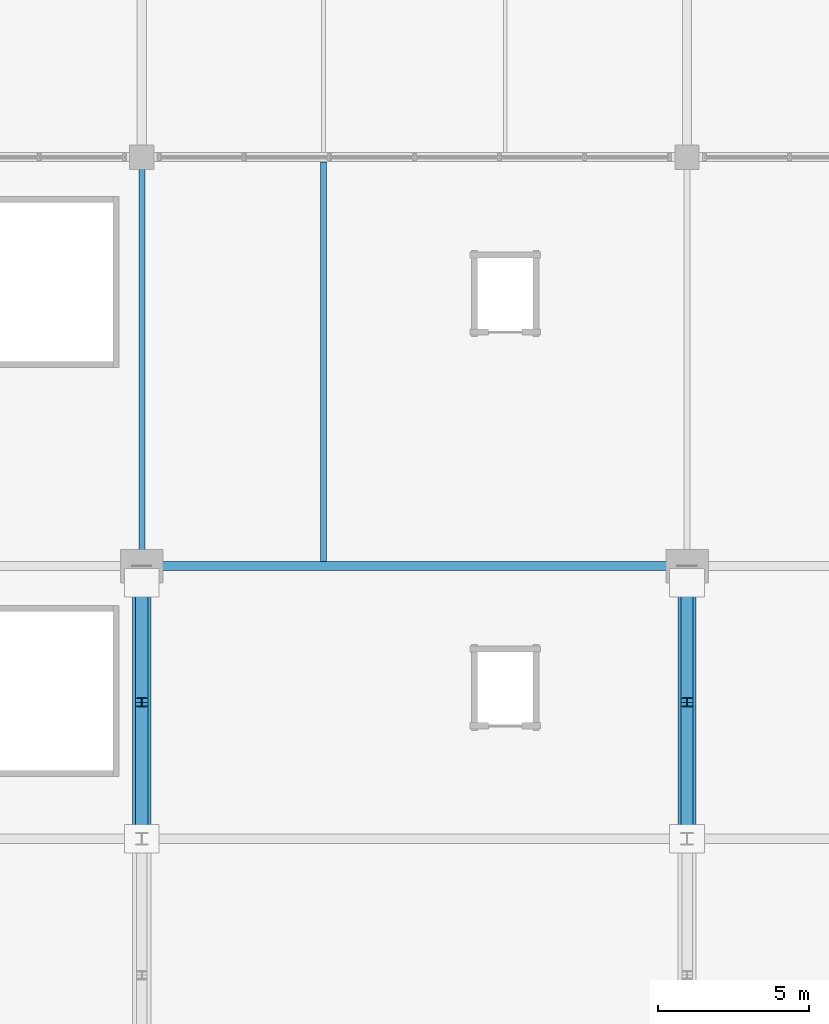
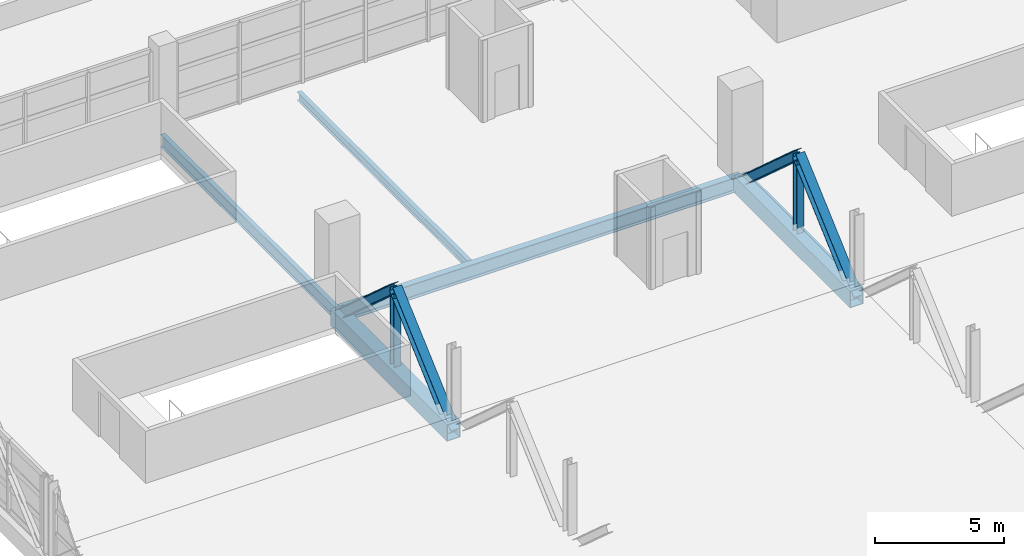
# One storey, part 35 of 136: 6 members, 5 beams.
"""IFC4 building model written with IfcOpenShell, lengths in metres."""

from ifc_helpers import new_model, si_unit, direction, frame, origin, origin_2d, place, context, subcontext, project, spatial, hollow_rectangle, i_section, extrude, material, material_profile, profile_set, type_object, element, save


model = new_model("IFC4")

# Units and contexts
model_context = context("Model", 3, precision=1e-05, world=origin(), true_north=direction((0.0, 1.0)))
body_context = subcontext(model_context, "Body", "Model", "MODEL_VIEW")
ifc_project = project(units=[si_unit("LENGTHUNIT", "METRE"), si_unit("AREAUNIT", "SQUARE_METRE"), si_unit("VOLUMEUNIT", "CUBIC_METRE"), si_unit("PLANEANGLEUNIT", "RADIAN"), si_unit("MASSUNIT", "GRAM", prefix="KILO")], contexts=[model_context])

# Site, building, storey
site_placement = place(None, origin())
site = spatial("IfcSite", under=ifc_project, at=site_placement, CompositionType="ELEMENT")
building_placement = place(site_placement, origin())
building = spatial("IfcBuilding", under=site, at=building_placement, Name="Chuanluo Vaults Station", CompositionType="ELEMENT")
storey_placement = place(building_placement, frame((0.0, 0.0, 6.60009765625)))
storey = spatial("IfcBuildingStorey", under=building, at=storey_placement, Name="L01", CompositionType="ELEMENT", Elevation=6.60009765625)

# Beams
ifc_material_1 = material(Name="Steel Q355C", Category="steel")
ifc_material_profile_1 = material_profile(ifc_material_1, i_section(OverallWidth=0.199951171875, OverallDepth=0.60009765625, WebThickness=0.010986328125, FlangeThickness=0.01708984375, FilletRadius=0.01806640625, at=origin_2d()))
ifc_profile_set_1 = profile_set([ifc_material_profile_1], Name="Steel Q355C")
beam_type_1 = type_object("IfcBeamType", Name="BM-GRD-600", PredefinedType="USERDEFINED", material=ifc_profile_set_1)
beam_1_placement = place(storey_placement, frame((36.0, 103.5, -0.580078125), z_axis=(0.0, 1.0, 0.0), x_axis=(-1.0, 0.0, 0.0)))
element("IfcBeam", 1, at=beam_1_placement, inside=storey, type_object=beam_type_1, Name="Floor girder BM:GY:L01:0424", ObjectType="GIRDER", PredefinedType="USERDEFINED", context=body_context, shape_type="SweptSolid", body=[
    extrude(i_section(OverallWidth=0.199951171875, OverallDepth=0.60009765625, WebThickness=0.010986328125, FlangeThickness=0.01708984375, FilletRadius=0.01806640625, at=origin_2d()), origin(), (0.0, 0.0, 1.0), 13.5),
])
ifc_material_2 = material(Name="Steel Q355C", Category="steel")
ifc_material_profile_2 = material_profile(ifc_material_2, i_section(OverallWidth=0.300048828125, OverallDepth=0.699951171875, WebThickness=0.012939453125, FlangeThickness=0.02392578125, FilletRadius=0.02197265625, at=origin_2d()))
ifc_profile_set_2 = profile_set([ifc_material_profile_2], Name="Steel Q355C")
beam_type_2 = type_object("IfcBeamType", Name="BM-GRD-700", PredefinedType="USERDEFINED", material=ifc_profile_set_2)
beam_2_placement = place(storey_placement, frame((36.0, 103.5, -0.630126953125), z_axis=(1.0, 0.0, 0.0), x_axis=(0.0, 1.0, 0.0)))
element("IfcBeam", 2, at=beam_2_placement, inside=storey, type_object=beam_type_2, Name="Floor girder BM:GX:L01:0364", ObjectType="GIRDER", PredefinedType="USERDEFINED", context=body_context, shape_type="SweptSolid", body=[
    extrude(i_section(OverallWidth=0.300048828125, OverallDepth=0.699951171875, WebThickness=0.012939453125, FlangeThickness=0.02392578125, FilletRadius=0.02197265625, at=origin_2d()), origin(), (0.0, 0.0, 1.0), 18.0),
])
ifc_material_3 = material(Name="Steel Q355C", Category="steel")
ifc_material_profile_3 = material_profile(ifc_material_3, i_section(OverallWidth=0.199951171875, OverallDepth=0.39990234375, WebThickness=0.008056640625, FlangeThickness=0.012939453125, FilletRadius=0.01611328125, at=origin_2d()))
ifc_profile_set_3 = profile_set([ifc_material_profile_3], Name="Steel Q355C")
beam_type_3 = type_object("IfcBeamType", Name="BM-SEC-400", PredefinedType="BEAM", material=ifc_profile_set_3)
beam_3_placement = place(storey_placement, frame((42.0, 103.655029296875, -0.47998046875), z_axis=(0.0, 1.0, 0.0), x_axis=(-1.0, 0.0, 0.0)))
element("IfcBeam", 3, at=beam_3_placement, inside=storey, type_object=beam_type_3, Name="Composite secondary joist 0119", PredefinedType="BEAM", context=body_context, shape_type="SweptSolid", body=[
    extrude(i_section(OverallWidth=0.199951171875, OverallDepth=0.39990234375, WebThickness=0.008056640625, FlangeThickness=0.012939453125, FilletRadius=0.01611328125, at=origin_2d()), origin(), (0.0, 0.0, 1.0), 13.18994140625),
])
ifc_material_4 = material(Name="Steel Q390C", Category="steel")
ifc_material_profile_4 = material_profile(ifc_material_4, hollow_rectangle(XDim=0.60009765625, YDim=0.800048828125, WallThickness=0.031982421875, at=origin_2d()))
ifc_profile_set_4 = profile_set([ifc_material_profile_4], Name="Steel Q390C")
beam_type_4 = type_object("IfcBeamType", Name="BM-TT-BOT", PredefinedType="USERDEFINED", material=ifc_profile_set_4)
for number, where, z_axis, x_axis, name in (
    (4, (36.0, 94.5, -0.68017578125), (0.0, 1.0, 0.0), (-1.0, 0.0, 0.0), "Transfer truss TT-3 bottom chord 4"),
    (5, (54.0, 94.5, -0.68017578125), (0.0, 1.0, 0.0), (-1.0, 0.0, 0.0), "Transfer truss TT-4 bottom chord 4"),
):
    element("IfcBeam", number, at=place(storey_placement, frame(where, z_axis=z_axis, x_axis=x_axis)), inside=storey, type_object=beam_type_4, Name=name, ObjectType="GIRDER", PredefinedType="USERDEFINED", context=body_context, shape_type="SweptSolid", body=[
        extrude(hollow_rectangle(XDim=0.60009765625, YDim=0.800048828125, WallThickness=0.031982421875, at=origin_2d()), origin(), (0.0, 0.0, 1.0), 9.0),
    ])

# Members
ifc_material_5 = material(Name="Steel Q390C", Category="steel")
ifc_material_profile_5 = material_profile(ifc_material_5, i_section(OverallWidth=0.39990234375, OverallDepth=0.407958984375, WebThickness=0.02099609375, FlangeThickness=0.02099609375, FilletRadius=0.02197265625, at=origin_2d()))
ifc_profile_set_5 = profile_set([ifc_material_profile_5], Name="Steel Q390C")
member_type_1 = type_object("IfcMemberType", Name="MEM-DIAG-408", PredefinedType="BRACE", material=ifc_profile_set_5)
for number, where, z_axis, x_axis, name in (
    (6, (36.0, 94.5, -0.68017578125), (0.0, 0.744935757439, 0.667136205949), (-1.0, 0.0, 0.0), "Transfer truss TT-3 diagonal 4A"),
    (7, (36.0, 99.0, 3.349853515625), (0.0, 0.744935757439, -0.667136205949), (-1.0, 0.0, 0.0), "Transfer truss TT-3 diagonal 4B"),
    (8, (54.0, 94.5, -0.68017578125), (0.0, 0.744935757439, 0.667136205949), (-1.0, 0.0, 0.0), "Transfer truss TT-4 diagonal 4A"),
    (9, (54.0, 99.0, 3.349853515625), (0.0, 0.744935757439, -0.667136205949), (-1.0, 0.0, 0.0), "Transfer truss TT-4 diagonal 4B"),
):
    element("IfcMember", number, at=place(storey_placement, frame(where, z_axis=z_axis, x_axis=x_axis)), inside=storey, type_object=member_type_1, Name=name, PredefinedType="BRACE", context=body_context, shape_type="SweptSolid", body=[
        extrude(i_section(OverallWidth=0.39990234375, OverallDepth=0.407958984375, WebThickness=0.02099609375, FlangeThickness=0.02099609375, FilletRadius=0.02197265625, at=origin_2d()), origin(), (0.0, 0.0, 1.0), 6.040771484375),
    ])
ifc_material_6 = material(Name="Steel Q390C", Category="steel")
ifc_material_profile_6 = material_profile(ifc_material_6, i_section(OverallWidth=0.300048828125, OverallDepth=0.300048828125, WebThickness=0.010009765625, FlangeThickness=0.014892578125, FilletRadius=0.01806640625, at=origin_2d()))
ifc_profile_set_6 = profile_set([ifc_material_profile_6], Name="Steel Q390C")
member_type_2 = type_object("IfcMemberType", Name="MEM-VERT-300", PredefinedType="POST", material=ifc_profile_set_6)
for number, where, z_axis, x_axis, name in (
    (10, (36.0, 99.0, -0.68017578125), (0.0, 0.0, 1.0), (1.0, 0.0, 0.0), "Transfer truss TT-3 mid-panel hanger 4"),
    (11, (54.0, 99.0, -0.68017578125), (0.0, 0.0, 1.0), (1.0, 0.0, 0.0), "Transfer truss TT-4 mid-panel hanger 4"),
):
    element("IfcMember", number, at=place(storey_placement, frame(where, z_axis=z_axis, x_axis=x_axis)), inside=storey, type_object=member_type_2, Name=name, PredefinedType="POST", context=body_context, shape_type="SweptSolid", body=[
        extrude(i_section(OverallWidth=0.300048828125, OverallDepth=0.300048828125, WebThickness=0.010009765625, FlangeThickness=0.014892578125, FilletRadius=0.01806640625, at=origin_2d()), origin(), (0.0, 0.0, 1.0), 4.030029296875),
    ])

save(model, "model.ifc")
